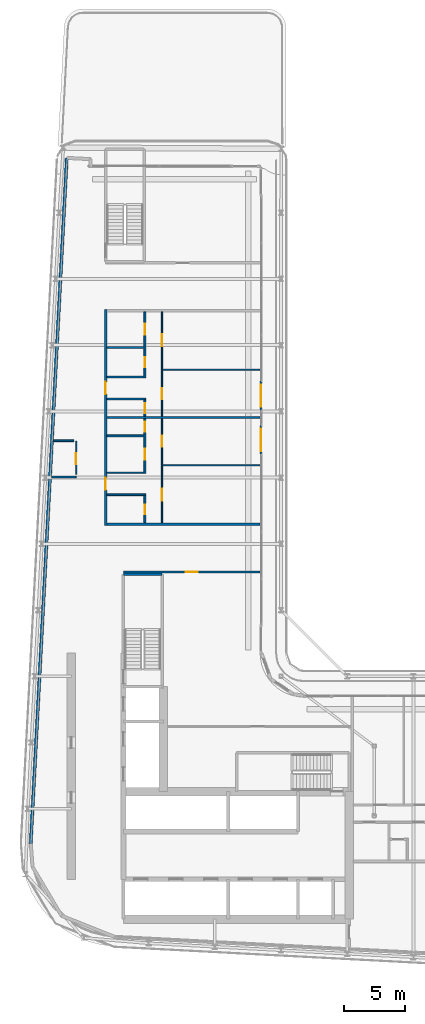
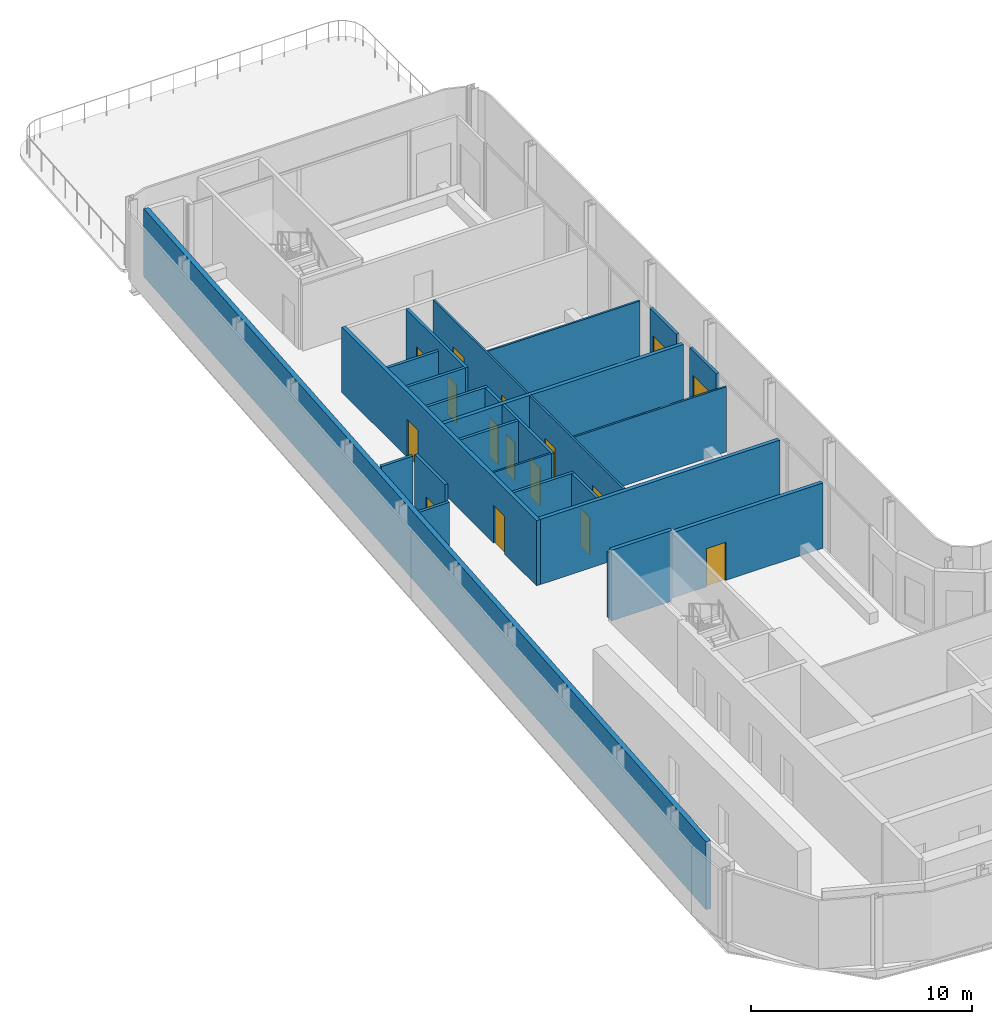
# One storey, part 13 of 22: 25 walls, 16 doors, 16 openings.
"""IFC4 building model written with IfcOpenShell, lengths in metres."""

import ifcopenshell
import ifcopenshell.guid

model = None  # the IFC model being written
_history = None  # IfcOwnerHistory: only IFC2X3 demands one
_inside = {}  # id of a spatial element -> (the spatial element, [elements in it])
_under = {}  # id of a project, library or spatial element -> (it, [spatial elements below it])
_declared = {}  # id of a project -> (the project, [libraries it declares])
_typed = {}  # id of a type object -> (the type object, [elements of that type])
_made_of = {}  # id of a material, layer set ... -> (it, [elements and type objects made of it])


def new_model(schema):
    """Start an empty IFC model of exactly this schema.

    Asked for "IFC4X3", IfcOpenShell would pick the latest addendum, in which some entities
    have other attributes; the version numbers below select the first issue.
    IFC2X3 requires an IfcOwnerHistory on every rooted entity: one is made here for all.
    """
    global model, _history
    if schema == "IFC4X3":
        model = ifcopenshell.file(schema_version=(4, 3, 0, 0))
    else:
        model = ifcopenshell.file(schema=schema)
    _inside.clear()
    _under.clear()
    _declared.clear()
    _typed.clear()
    _made_of.clear()
    _history = None
    if model.schema == "IFC2X3":
        org = make("IfcOrganization", Name="unknown")
        user = make(
            "IfcPersonAndOrganization",
            ThePerson=make("IfcPerson", FamilyName="unknown"),
            TheOrganization=org,
        )
        app = make(
            "IfcApplication",
            ApplicationDeveloper=org,
            Version="unknown",
            ApplicationFullName="unknown",
            ApplicationIdentifier="unknown",
        )
        _history = make(
            "IfcOwnerHistory",
            OwningUser=user,
            OwningApplication=app,
            ChangeAction="ADDED",
            CreationDate=0,
        )
    return model


def make(cls, **values):
    """One entity of the class cls with the attributes given. An attribute that is None is left unset."""
    return model.create_entity(
        cls, **{name: value for name, value in values.items() if value is not None}
    )


def rooted(cls, **values):
    """An entity with a GlobalId (a new one), such as an element, a storey or a relation."""
    return make(cls, GlobalId=ifcopenshell.guid.new(), OwnerHistory=_history, **values)


def si_unit(unit_type, name, prefix=None):
    """IfcSIUnit, for example si_unit("LENGTHUNIT", "METRE", prefix="MILLI")."""
    return make("IfcSIUnit", UnitType=unit_type, Prefix=prefix, Name=name)


def assignment(units):
    """IfcUnitAssignment: the units of a project."""
    return None if units is None else make("IfcUnitAssignment", Units=units)


def point(xyz):
    """IfcCartesianPoint."""
    return None if xyz is None else make("IfcCartesianPoint", Coordinates=xyz)


def direction(xyz):
    """IfcDirection."""
    return None if xyz is None else make("IfcDirection", DirectionRatios=xyz)


def frame(location, z_axis=None, x_axis=None):
    """IfcAxis2Placement3D, a coordinate frame: its origin and axes. An axis left out is left unset."""
    return make(
        "IfcAxis2Placement3D",
        Location=point(location),
        Axis=direction(z_axis),
        RefDirection=direction(x_axis),
    )


def frame_2d(location, x_axis=None):
    """IfcAxis2Placement2D, a coordinate frame in the plane: its origin and x axis."""
    return make(
        "IfcAxis2Placement2D", Location=point(location), RefDirection=direction(x_axis)
    )


def origin():
    """The frame at (0, 0, 0) with its axes left unset."""
    return frame((0.0, 0.0, 0.0))


def place(relative_to, where):
    """IfcLocalPlacement: puts the frame where relative to a parent placement (None: the world)."""
    return make(
        "IfcLocalPlacement", PlacementRelTo=relative_to, RelativePlacement=where
    )


def context(
    kind, dimensions, precision=None, world=None, true_north=None, identifier=None
):
    """IfcGeometricRepresentationContext, for example the 3D "Model" context."""
    return make(
        "IfcGeometricRepresentationContext",
        ContextIdentifier=identifier,
        ContextType=kind,
        CoordinateSpaceDimension=dimensions,
        Precision=precision,
        WorldCoordinateSystem=world,
        TrueNorth=true_north,
    )


def subcontext(parent, identifier, kind, view, scale=None):
    """IfcGeometricRepresentationSubContext, for example "Body" below "Model"."""
    return make(
        "IfcGeometricRepresentationSubContext",
        ContextIdentifier=identifier,
        ContextType=kind,
        ParentContext=parent,
        TargetScale=scale,
        TargetView=view,
    )


def project(units=None, contexts=None):
    """IfcProject with its units and contexts."""
    return rooted(
        "IfcProject",
        Name="project",
        RepresentationContexts=contexts,
        UnitsInContext=assignment(units),
    )


def spatial(cls, under=None, at=None, **own):
    """A site, building, storey or space (cls), placed at a placement, below another one or the project."""
    s = rooted(cls, ObjectPlacement=at, **own)
    if under is not None:
        _under.setdefault(under.id(), (under, []))[1].append(s)
    return s


def profile(cls, at=None, kind="AREA", **sizes):
    """A parametric profile (cls). Its sizes go by their IFC names, for example OverallWidth=200.0."""
    return make(cls, ProfileType=kind, Position=at, **sizes)


def rectangle(**sizes):
    """IfcRectangleProfileDef."""
    return profile("IfcRectangleProfileDef", **sizes)


def extrude(swept, where, along, depth):
    """IfcExtrudedAreaSolid: the profile swept, set in the frame where, extruded along a direction by depth."""
    return make(
        "IfcExtrudedAreaSolid",
        SweptArea=swept,
        Position=where,
        ExtrudedDirection=direction(along),
        Depth=depth,
    )


def shape(context_of_items, identifier, shape_type, items):
    """IfcShapeRepresentation: the items that make up one representation, for example the "Body"."""
    return make(
        "IfcShapeRepresentation",
        ContextOfItems=context_of_items,
        RepresentationIdentifier=identifier,
        RepresentationType=shape_type,
        Items=items,
    )


def source(mapping_origin, context_of_items, identifier, shape_type, items):
    """IfcRepresentationMap: a shape defined once, which mapped items show again and again."""
    return make(
        "IfcRepresentationMap",
        MappingOrigin=mapping_origin,
        MappedRepresentation=shape(context_of_items, identifier, shape_type, items),
    )


def transform(
    local_origin,
    x_axis=None,
    y_axis=None,
    z_axis=None,
    scale=None,
    scale2=None,
    scale3=None,
    uniform=True,
):
    """IfcCartesianTransformationOperator3D, or its non-uniform kind. x_axis, y_axis, z_axis: its Axis1, 2, 3."""
    if uniform:
        return make(
            "IfcCartesianTransformationOperator3D",
            Axis1=direction(x_axis),
            Axis2=direction(y_axis),
            LocalOrigin=point(local_origin),
            Scale=scale,
            Axis3=direction(z_axis),
        )
    return make(
        "IfcCartesianTransformationOperator3DnonUniform",
        Axis1=direction(x_axis),
        Axis2=direction(y_axis),
        LocalOrigin=point(local_origin),
        Scale=scale,
        Axis3=direction(z_axis),
        Scale2=scale2,
        Scale3=scale3,
    )


def mapped(mapping_source, mapping_target):
    """IfcMappedItem: shows the shape of a source again, moved by a transform."""
    return make(
        "IfcMappedItem", MappingSource=mapping_source, MappingTarget=mapping_target
    )


def material(Name=None, Category=None):
    """IfcMaterial."""
    return make("IfcMaterial", Name=Name, Category=Category)


def layer(
    of_material, thickness, ventilated=None, Name=None, Category=None, Priority=None
):
    """IfcMaterialLayer: one layer of a wall or slab, of a material (None: an air gap)."""
    return make(
        "IfcMaterialLayer",
        Material=of_material,
        LayerThickness=thickness,
        IsVentilated=ventilated,
        Name=Name,
        Category=Category,
        Priority=Priority,
    )


def layer_set(layers, Name=None):
    """IfcMaterialLayerSet."""
    return make("IfcMaterialLayerSet", MaterialLayers=layers, LayerSetName=Name)


def made_of(thing, what):
    """Note that an element or type object is made of a material, layer set ...; save() writes the relation."""
    if what is not None:
        _made_of.setdefault(what.id(), (what, []))[1].append(thing)
    return thing


def type_object(cls, material=None, **own):
    """A type object (cls), such as IfcWallType, which elements share."""
    return made_of(rooted(cls, **own), material)


def element(
    cls,
    number,
    at=None,
    inside=None,
    cuts=None,
    type_object=None,
    material=None,
    context=None,
    identifier="Body",
    shape_type=None,
    held_by="IfcProductDefinitionShape",
    body=None,
    shapes=None,
    **own,
):
    """One element of the class cls, such as IfcWall. Its Tag is "e" and its number.

    at: its placement. inside: the storey or other place that contains it. cuts: it is an
    opening in that element (IfcRelVoidsElement). A single representation is given by context,
    identifier, shape_type and body (its items); several are given by shapes. held_by: the class
    of the entity that holds the representations. save() writes the other relations.
    """
    e = rooted(cls, Tag="e%d" % number, ObjectPlacement=at, **own)
    if body is not None:
        shapes = [shape(context, identifier, shape_type, body)]
    if shapes is not None:
        e.Representation = make(held_by, Representations=shapes)
    if inside is not None:
        _inside.setdefault(inside.id(), (inside, []))[1].append(e)
    if cuts is not None:
        rooted(
            "IfcRelVoidsElement", RelatingBuildingElement=cuts, RelatedOpeningElement=e
        )
    if type_object is not None:
        _typed.setdefault(type_object.id(), (type_object, []))[1].append(e)
    return made_of(e, material)


def fill(opening, filler):
    """IfcRelFillsElement: the door or window that sits in an opening."""
    return rooted(
        "IfcRelFillsElement",
        RelatingOpeningElement=opening,
        RelatedBuildingElement=filler,
    )


def aggregate(whole, parts):
    """IfcRelAggregates: a whole, such as a stair, and the parts it consists of."""
    return rooted("IfcRelAggregates", RelatingObject=whole, RelatedObjects=parts)


def save(model, path):
    """Write the relations noted so far, then the file.

    IfcRelAggregates (storeys below a building ...), IfcRelContainedInSpatialStructure (elements
    in a storey), IfcRelDefinesByType, IfcRelAssociatesMaterial and IfcRelDeclares: one each for
    every whole, place, type object, material and project.
    """
    for whole, parts in _under.values():
        aggregate(whole, parts)
    for where, things in _inside.values():
        rooted(
            "IfcRelContainedInSpatialStructure",
            RelatedElements=things,
            RelatingStructure=where,
        )
    for kind, things in _typed.values():
        rooted("IfcRelDefinesByType", RelatedObjects=things, RelatingType=kind)
    for what, things in _made_of.values():
        rooted("IfcRelAssociatesMaterial", RelatedObjects=things, RelatingMaterial=what)
    for by, libraries in _declared.values():
        rooted("IfcRelDeclares", RelatingContext=by, RelatedDefinitions=libraries)
    model.write(path)


model = new_model("IFC4")

# Units and contexts
model_context = context("Model", 3, precision=1e-05, world=origin(), true_north=direction((0.0, 1.0)))
body_context = subcontext(model_context, "Body", "Model", "MODEL_VIEW")
ifc_project = project(units=[si_unit("LENGTHUNIT", "METRE"), si_unit("AREAUNIT", "SQUARE_METRE"), si_unit("VOLUMEUNIT", "CUBIC_METRE"), si_unit("PLANEANGLEUNIT", "RADIAN"), si_unit("MASSUNIT", "GRAM", prefix="KILO")], contexts=[model_context])

# Site, building, storey
site_placement = place(None, origin())
site = spatial("IfcSite", under=ifc_project, at=site_placement, CompositionType="ELEMENT")
building_placement = place(site_placement, origin())
building = spatial("IfcBuilding", under=site, at=building_placement, Name="Kheshtan School and Residences Tower", CompositionType="ELEMENT")
storey_placement = place(building_placement, frame((0.0, 0.0, 216.199951171875)))
storey = spatial("IfcBuildingStorey", under=building, at=storey_placement, Name="L50", CompositionType="ELEMENT", Elevation=216.199951171875)

# Wall, openings, doors
ifc_material_1 = material(Name="Gypsum board on steel studs with fire boards", Category="steel")
ifc_layer_1 = layer(ifc_material_1, 0.199951171875)
ifc_layer_set_1 = layer_set([ifc_layer_1], Name="Corridor wall 200")
wall_type_1 = type_object("IfcWallType", Name="Corridor wall 200", PredefinedType="PARTITIONING", material=ifc_layer_set_1)
wall_1_placement = place(storey_placement, frame((33.300048828125, 57.89990234375, 0.0), z_axis=(0.0, 0.0, 1.0), x_axis=(0.0, 1.0, 0.0)))
wall_1 = element("IfcWall", 1, at=wall_1_placement, inside=storey, type_object=wall_type_1, Name="Partition L50-001", PredefinedType="PARTITIONING", context=body_context, shape_type="SweptSolid", body=[
    extrude(rectangle(XDim=17.60009765625, YDim=0.199951171875, at=frame_2d((8.800048828125, 0.0))), origin(), (0.0, 0.0, 1.0), 3.60009765625),
])
opening_1_placement = place(wall_1_placement, frame((2.89990234375, 0.0, 0.0)))
opening_1 = element("IfcOpeningElement", 2, at=opening_1_placement, cuts=wall_1, Name="Opening D50-025", PredefinedType="OPENING", context=body_context, shape_type="SweptSolid", body=[
    extrude(rectangle(XDim=1.0, YDim=2.10009765625, at=frame_2d((0.5, 1.050048828125))), frame((0.0, 0.10986328125, 0.0), z_axis=(0.0, -1.0, 0.0), x_axis=(1.0, 0.0, 0.0)), (0.0, 0.0, 1.0), 0.219970703125),
])
opening_2_placement = place(wall_1_placement, frame((10.699951171875, 0.0, 0.0)))
opening_2 = element("IfcOpeningElement", 3, at=opening_2_placement, cuts=wall_1, Name="Opening D50-031", PredefinedType="OPENING", context=body_context, shape_type="SweptSolid", body=[
    extrude(rectangle(XDim=1.0, YDim=2.10009765625, at=frame_2d((0.5, 1.050048828125))), frame((0.0, 0.10986328125, 0.0), z_axis=(0.0, -1.0, 0.0), x_axis=(1.0, 0.0, 0.0)), (0.0, 0.0, 1.0), 0.219970703125),
])
ifc_material_2 = material(Name="Steel-framed fire-resisting door leaf", Category="steel")
door_type_1 = type_object("IfcDoorType", Name="Fire door FD30S 1000 x 2100", OperationType="SINGLE_SWING_LEFT", PredefinedType="DOOR", material=ifc_material_2)
shared_shape_1 = source(origin(), body_context, "Body", "SweptSolid", [
    extrude(rectangle(XDim=1.0, YDim=2.10009765625, at=frame_2d((0.5, 1.050048828125))), frame((0.0, 0.02490234375, 0.0), z_axis=(0.0, -1.0, 0.0), x_axis=(1.0, 0.0, 0.0)), (0.0, 0.0, 1.0), 0.050048828125),
])
door_1_placement = place(opening_1_placement, origin())
door_1 = element("IfcDoor", 4, at=door_1_placement, inside=storey, type_object=door_type_1, Name="Door D50-025", OperationType="SINGLE_SWING_RIGHT", OverallHeight=2.10009765625, OverallWidth=1.0, PredefinedType="DOOR", context=body_context, shape_type="MappedRepresentation", body=[
    mapped(shared_shape_1, transform((0.0, 0.0, 0.0), x_axis=(1.0, 0.0, 0.0), y_axis=(0.0, 1.0, 0.0), z_axis=(0.0, 0.0, 1.0), scale=1.0)),
])
fill(opening_1, door_1)
door_2_placement = place(opening_2_placement, origin())
door_2 = element("IfcDoor", 5, at=door_2_placement, inside=storey, type_object=door_type_1, Name="Door D50-031", OperationType="SINGLE_SWING_RIGHT", OverallHeight=2.10009765625, OverallWidth=1.0, PredefinedType="DOOR", context=body_context, shape_type="MappedRepresentation", body=[
    mapped(shared_shape_1, transform((0.0, 0.0, 0.0), x_axis=(1.0, 0.0, 0.0), y_axis=(0.0, 1.0, 0.0), z_axis=(0.0, 0.0, 1.0), scale=1.0)),
])
fill(opening_2, door_2)

# Wall
wall_2_placement = place(storey_placement, frame((33.39990234375, 58.0, 0.0), z_axis=(0.0, 0.0, 1.0), x_axis=(1.0, 0.0, 0.0)))
element("IfcWall", 6, at=wall_2_placement, inside=storey, type_object=wall_type_1, Name="Partition L50-003", PredefinedType="PARTITIONING", context=body_context, shape_type="SweptSolid", body=[
    extrude(rectangle(XDim=12.5, YDim=0.199951171875, at=frame_2d((6.25, 0.0))), origin(), (0.0, 0.0, 1.0), 3.60009765625),
])

# Wall, opening, door
wall_3_placement = place(storey_placement, frame((34.75, 54.10009765625, 0.0), z_axis=(0.0, 0.0, 1.0), x_axis=(1.0, 0.0, 0.0)))
wall_3 = element("IfcWall", 7, at=wall_3_placement, inside=storey, type_object=wall_type_1, Name="Partition L50-012", PredefinedType="PARTITIONING", context=body_context, shape_type="SweptSolid", body=[
    extrude(rectangle(XDim=11.14990234375, YDim=0.199951171875, at=frame_2d((5.574951171875, 0.0))), origin(), (0.0, 0.0, 1.0), 3.60009765625),
])
opening_3_placement = place(wall_3_placement, frame((5.074951171875, 0.0, 0.0)))
opening_3 = element("IfcOpeningElement", 8, at=opening_3_placement, cuts=wall_3, Name="Opening D50-037", PredefinedType="OPENING", context=body_context, shape_type="SweptSolid", body=[
    extrude(rectangle(XDim=1.0, YDim=2.10009765625, at=frame_2d((0.5, 1.050048828125))), frame((0.0, 0.10986328125, 0.0), z_axis=(0.0, -1.0, 0.0), x_axis=(1.0, 0.0, 0.0)), (0.0, 0.0, 1.0), 0.219970703125),
])
door_type_2 = type_object("IfcDoorType", Name="Fire door FD60 1000 x 2100", OperationType="SINGLE_SWING_LEFT", PredefinedType="DOOR", material=ifc_material_2)
shared_shape_2 = source(origin(), body_context, "Body", "SweptSolid", [
    extrude(rectangle(XDim=1.0, YDim=2.10009765625, at=frame_2d((0.5, 1.050048828125))), frame((0.0, 0.02490234375, 0.0), z_axis=(0.0, -1.0, 0.0), x_axis=(1.0, 0.0, 0.0)), (0.0, 0.0, 1.0), 0.050048828125),
])
door_3_placement = place(opening_3_placement, origin())
door_3 = element("IfcDoor", 9, at=door_3_placement, inside=storey, type_object=door_type_2, Name="Door D50-037", OperationType="SINGLE_SWING_RIGHT", OverallHeight=2.10009765625, OverallWidth=1.0, PredefinedType="DOOR", context=body_context, shape_type="MappedRepresentation", body=[
    mapped(shared_shape_2, transform((0.0, 0.0, 0.0), x_axis=(1.0, 0.0, 0.0), y_axis=(0.0, 1.0, 0.0), z_axis=(0.0, 0.0, 1.0), scale=1.0)),
])
fill(opening_3, door_3)

# Wall
ifc_material_3 = material(Name="Concrete C40/50 with ceramic cladding and mineral wool insulation", Category="concrete")
ifc_layer_2 = layer(ifc_material_3, 0.25)
ifc_layer_set_2 = layer_set([ifc_layer_2], Name="External wall 250 ceramic clad")
wall_type_2 = type_object("IfcWallType", Name="External wall 250 ceramic clad", PredefinedType="SOLIDWALL", material=ifc_layer_set_2)
wall_4_placement = place(storey_placement, frame((27.195068359375, 31.968994140625, 0.0), z_axis=(0.0, 0.0, 1.0), x_axis=(0.052559748861, 0.998617781135, 0.0)))
element("IfcWall", 10, at=wall_4_placement, inside=storey, type_object=wall_type_2, Name="External wall L50 16", PredefinedType="SOLIDWALL", context=body_context, shape_type="SweptSolid", body=[
    extrude(rectangle(XDim=55.972412109375, YDim=0.25, at=frame_2d((27.986328125, 0.0))), origin(), (0.0, 0.0, 1.0), 3.75),
])

# Wall, opening, door
ifc_material_4 = material(Name="Aluminium frame wall with insulated infill", Category="aluminium")
ifc_layer_3 = layer(ifc_material_4, 0.14990234375)
ifc_layer_set_3 = layer_set([ifc_layer_3], Name="Glazing frame wall 150")
wall_type_3 = type_object("IfcWallType", Name="Glazing frame wall 150", PredefinedType="SOLIDWALL", material=ifc_layer_set_3)
wall_5_placement = place(storey_placement, frame((45.97509765625, 69.6650390625, 0.0), z_axis=(0.0, 0.0, 1.0), x_axis=(0.0, -1.0, 0.0)))
wall_5 = element("IfcWall", 11, at=wall_5_placement, inside=storey, type_object=wall_type_3, Name="Balcony door wall L50 4.2", PredefinedType="SOLIDWALL", context=body_context, shape_type="SweptSolid", body=[
    extrude(rectangle(XDim=2.400146484375, YDim=0.14990234375, at=frame_2d((1.2001953125, 0.0))), origin(), (0.0, 0.0, 1.0), 3.75),
])
opening_4_placement = place(wall_5_placement, frame((0.300048828125, 0.0, 0.0)))
opening_4 = element("IfcOpeningElement", 12, at=opening_4_placement, cuts=wall_5, Name="Opening BD", PredefinedType="OPENING", context=body_context, shape_type="SweptSolid", body=[
    extrude(rectangle(XDim=1.800048828125, YDim=2.39990234375, at=frame_2d((0.89990234375, 1.199951171875))), frame((0.0, 0.0849609375, 0.0), z_axis=(0.0, -1.0, 0.0), x_axis=(1.0, 0.0, 0.0)), (0.0, 0.0, 1.0), 0.169921875),
])
ifc_material_5 = material(Name="Clear low-e glass in thermally broken aluminium frame", Category="aluminium")
door_type_3 = type_object("IfcDoorType", Name="Balcony sliding door", OperationType="SLIDING_TO_LEFT", PredefinedType="DOOR", material=ifc_material_5)
shared_shape_3 = source(origin(), body_context, "Body", "SweptSolid", [
    extrude(rectangle(XDim=1.800048828125, YDim=2.39990234375, at=frame_2d((0.89990234375, 1.199951171875))), frame((0.0, 0.02490234375, 0.0), z_axis=(0.0, -1.0, 0.0), x_axis=(1.0, 0.0, 0.0)), (0.0, 0.0, 1.0), 0.050048828125),
])
door_4_placement = place(opening_4_placement, origin())
door_4 = element("IfcDoor", 13, at=door_4_placement, inside=storey, type_object=door_type_3, Name="Balcony door L50 4.2", OperationType="SLIDING_TO_LEFT", OverallHeight=2.39990234375, OverallWidth=1.800048828125, PredefinedType="DOOR", context=body_context, shape_type="MappedRepresentation", body=[
    mapped(shared_shape_3, transform((0.0, 0.0, 0.0), x_axis=(1.0, 0.0, 0.0), y_axis=(0.0, 1.0, 0.0), z_axis=(0.0, 0.0, 1.0), scale=1.0)),
])
fill(opening_4, door_4)

wall_6_placement = place(storey_placement, frame((45.97509765625, 66.06494140625, 0.0), z_axis=(0.0, 0.0, 1.0), x_axis=(0.0, -1.0, 0.0)))
wall_6 = element("IfcWall", 14, at=wall_6_placement, inside=storey, type_object=wall_type_3, Name="Balcony door wall L50 4.3", PredefinedType="SOLIDWALL", context=body_context, shape_type="SweptSolid", body=[
    extrude(rectangle(XDim=2.39990234375, YDim=0.14990234375, at=frame_2d((1.199951171875, 0.0))), origin(), (0.0, 0.0, 1.0), 3.75),
])
opening_5_placement = place(wall_6_placement, frame((0.300048828125, 0.0, 0.0)))
opening_5 = element("IfcOpeningElement", 15, at=opening_5_placement, cuts=wall_6, Name="Opening BD", PredefinedType="OPENING", context=body_context, shape_type="SweptSolid", body=[
    extrude(rectangle(XDim=1.800048828125, YDim=2.39990234375, at=frame_2d((0.89990234375, 1.199951171875))), frame((0.0, 0.0849609375, 0.0), z_axis=(0.0, -1.0, 0.0), x_axis=(1.0, 0.0, 0.0)), (0.0, 0.0, 1.0), 0.169921875),
])
door_5_placement = place(opening_5_placement, origin())
door_5 = element("IfcDoor", 16, at=door_5_placement, inside=storey, type_object=door_type_3, Name="Balcony door L50 4.3", OperationType="SLIDING_TO_LEFT", OverallHeight=2.39990234375, OverallWidth=1.800048828125, PredefinedType="DOOR", context=body_context, shape_type="MappedRepresentation", body=[
    mapped(shared_shape_3, transform((0.0, 0.0, 0.0), x_axis=(1.0, 0.0, 0.0), y_axis=(0.0, 1.0, 0.0), z_axis=(0.0, 0.0, 1.0), scale=1.0)),
])
fill(opening_5, door_5)

# Wall
ifc_material_6 = material(Name="Gypsum board on steel studs", Category="steel")
ifc_layer_4 = layer(ifc_material_6, 0.10009765625)
ifc_layer_set_4 = layer_set([ifc_layer_4], Name="Gypsum partition 100")
wall_type_4 = type_object("IfcWallType", Name="Gypsum partition 100", PredefinedType="PARTITIONING", material=ifc_layer_set_4)
wall_7_placement = place(storey_placement, frame((33.39990234375, 62.199951171875, 0.0), z_axis=(0.0, 0.0, 1.0), x_axis=(1.0, 0.0, 0.0)))
element("IfcWall", 17, at=wall_7_placement, inside=storey, type_object=wall_type_4, Name="Partition L50-005", PredefinedType="PARTITIONING", context=body_context, shape_type="SweptSolid", body=[
    extrude(rectangle(XDim=3.025146484375, YDim=0.10009765625, at=frame_2d((1.5126953125, 0.0))), origin(), (0.0, 0.0, 1.0), 3.60009765625),
])

# Wall, openings, doors
wall_8_placement = place(storey_placement, frame((37.89990234375, 58.10009765625, 0.0), z_axis=(0.0, 0.0, 1.0), x_axis=(0.0, 1.0, 0.0)))
wall_8 = element("IfcWall", 18, at=wall_8_placement, inside=storey, type_object=wall_type_4, Name="Partition L50-017", PredefinedType="PARTITIONING", context=body_context, shape_type="SweptSolid", body=[
    extrude(rectangle(XDim=8.5, YDim=0.10009765625, at=frame_2d((4.25, 0.0))), origin(), (0.0, 0.0, 1.0), 3.60009765625),
])
opening_6_placement = place(wall_8_placement, frame((6.199951171875, 0.0, 0.0)))
opening_6 = element("IfcOpeningElement", 19, at=opening_6_placement, cuts=wall_8, Name="Opening D50-024", PredefinedType="OPENING", context=body_context, shape_type="SweptSolid", body=[
    extrude(rectangle(XDim=0.89990234375, YDim=2.10009765625, at=frame_2d((0.449951171875, 1.050048828125))), frame((0.0, 0.06005859375, 0.0), z_axis=(0.0, -1.0, 0.0), x_axis=(1.0, 0.0, 0.0)), (0.0, 0.0, 1.0), 0.1201171875),
])
opening_7_placement = place(wall_8_placement, frame((1.800048828125, 0.0, 0.0)))
opening_7 = element("IfcOpeningElement", 20, at=opening_7_placement, cuts=wall_8, Name="Opening D50-027", PredefinedType="OPENING", context=body_context, shape_type="SweptSolid", body=[
    extrude(rectangle(XDim=1.0, YDim=2.10009765625, at=frame_2d((0.5, 1.050048828125))), frame((0.0, 0.06005859375, 0.0), z_axis=(0.0, -1.0, 0.0), x_axis=(1.0, 0.0, 0.0)), (0.0, 0.0, 1.0), 0.1201171875),
])
ifc_material_7 = material(Name="Veneered timber door leaf", Category="wood")
door_type_4 = type_object("IfcDoorType", Name="Door 1000 x 2100", OperationType="SINGLE_SWING_LEFT", PredefinedType="DOOR", material=ifc_material_7)
shared_shape_4 = source(origin(), body_context, "Body", "SweptSolid", [
    extrude(rectangle(XDim=1.0, YDim=2.10009765625, at=frame_2d((0.5, 1.050048828125))), frame((0.0, 0.02490234375, 0.0), z_axis=(0.0, -1.0, 0.0), x_axis=(1.0, 0.0, 0.0)), (0.0, 0.0, 1.0), 0.050048828125),
])
door_6_placement = place(opening_7_placement, origin())
door_6 = element("IfcDoor", 21, at=door_6_placement, inside=storey, type_object=door_type_4, Name="Door D50-027", OperationType="SINGLE_SWING_RIGHT", OverallHeight=2.10009765625, OverallWidth=1.0, PredefinedType="DOOR", context=body_context, shape_type="MappedRepresentation", body=[
    mapped(shared_shape_4, transform((0.0, 0.0, 0.0), x_axis=(1.0, 0.0, 0.0), y_axis=(0.0, 1.0, 0.0), z_axis=(0.0, 0.0, 1.0), scale=1.0)),
])
fill(opening_7, door_6)
door_type_5 = type_object("IfcDoorType", Name="Door 900 x 2100", OperationType="SINGLE_SWING_LEFT", PredefinedType="DOOR", material=ifc_material_7)
shared_shape_5 = source(origin(), body_context, "Body", "SweptSolid", [
    extrude(rectangle(XDim=0.89990234375, YDim=2.10009765625, at=frame_2d((0.449951171875, 1.050048828125))), frame((0.0, 0.02490234375, 0.0), z_axis=(0.0, -1.0, 0.0), x_axis=(1.0, 0.0, 0.0)), (0.0, 0.0, 1.0), 0.050048828125),
])
door_7_placement = place(opening_6_placement, origin())
door_7 = element("IfcDoor", 22, at=door_7_placement, inside=storey, type_object=door_type_5, Name="Door D50-024", OperationType="SINGLE_SWING_RIGHT", OverallHeight=2.10009765625, OverallWidth=0.89990234375, PredefinedType="DOOR", context=body_context, shape_type="MappedRepresentation", body=[
    mapped(shared_shape_5, transform((0.0, 0.0, 0.0), x_axis=(1.0, 0.0, 0.0), y_axis=(0.0, 1.0, 0.0), z_axis=(0.0, 0.0, 1.0), scale=1.0)),
])
fill(opening_6, door_7)

wall_9_placement = place(storey_placement, frame((37.89990234375, 66.800048828125, 0.0), z_axis=(0.0, 0.0, 1.0), x_axis=(0.0, 1.0, 0.0)))
wall_9 = element("IfcWall", 23, at=wall_9_placement, inside=storey, type_object=wall_type_4, Name="Partition L50-018", PredefinedType="PARTITIONING", context=body_context, shape_type="SweptSolid", body=[
    extrude(rectangle(XDim=8.5, YDim=0.10009765625, at=frame_2d((4.25, 0.0))), origin(), (0.0, 0.0, 1.0), 3.60009765625),
])
opening_8_placement = place(wall_9_placement, frame((1.39990234375, 0.0, 0.0)))
opening_8 = element("IfcOpeningElement", 24, at=opening_8_placement, cuts=wall_9, Name="Opening D50-030", PredefinedType="OPENING", context=body_context, shape_type="SweptSolid", body=[
    extrude(rectangle(XDim=0.89990234375, YDim=2.10009765625, at=frame_2d((0.449951171875, 1.050048828125))), frame((0.0, 0.06005859375, 0.0), z_axis=(0.0, -1.0, 0.0), x_axis=(1.0, 0.0, 0.0)), (0.0, 0.0, 1.0), 0.1201171875),
])
opening_9_placement = place(wall_9_placement, frame((5.699951171875, 0.0, 0.0)))
opening_9 = element("IfcOpeningElement", 25, at=opening_9_placement, cuts=wall_9, Name="Opening D50-033", PredefinedType="OPENING", context=body_context, shape_type="SweptSolid", body=[
    extrude(rectangle(XDim=1.0, YDim=2.10009765625, at=frame_2d((0.5, 1.050048828125))), frame((0.0, 0.06005859375, 0.0), z_axis=(0.0, -1.0, 0.0), x_axis=(1.0, 0.0, 0.0)), (0.0, 0.0, 1.0), 0.1201171875),
])
door_8_placement = place(opening_9_placement, origin())
door_8 = element("IfcDoor", 26, at=door_8_placement, inside=storey, type_object=door_type_4, Name="Door D50-033", OperationType="SINGLE_SWING_LEFT", OverallHeight=2.10009765625, OverallWidth=1.0, PredefinedType="DOOR", context=body_context, shape_type="MappedRepresentation", body=[
    mapped(shared_shape_4, transform((0.0, 0.0, 0.0), x_axis=(1.0, 0.0, 0.0), y_axis=(0.0, 1.0, 0.0), z_axis=(0.0, 0.0, 1.0), scale=1.0)),
])
fill(opening_9, door_8)
door_9_placement = place(opening_8_placement, origin())
door_9 = element("IfcDoor", 27, at=door_9_placement, inside=storey, type_object=door_type_5, Name="Door D50-030", OperationType="SINGLE_SWING_LEFT", OverallHeight=2.10009765625, OverallWidth=0.89990234375, PredefinedType="DOOR", context=body_context, shape_type="MappedRepresentation", body=[
    mapped(shared_shape_5, transform((0.0, 0.0, 0.0), x_axis=(1.0, 0.0, 0.0), y_axis=(0.0, 1.0, 0.0), z_axis=(0.0, 0.0, 1.0), scale=1.0)),
])
fill(opening_8, door_9)

# Walls
for number, where, z_axis, x_axis, name in (
    (28, (37.949951171875, 62.800048828125, 0.0), (0.0, 0.0, 1.0), (1.0, 0.0, 0.0), "Partition L50-019"),
    (29, (37.949951171875, 70.60009765625, 0.0), (0.0, 0.0, 1.0), (1.0, 0.0, 0.0), "Partition L50-020"),
):
    element("IfcWall", number, at=place(storey_placement, frame(where, z_axis=z_axis, x_axis=x_axis)), inside=storey, type_object=wall_type_4, Name=name, PredefinedType="PARTITIONING", context=body_context, shape_type="SweptSolid", body=[
        extrude(rectangle(XDim=7.949951171875, YDim=0.10009765625, at=frame_2d((3.97509765625, 0.0))), origin(), (0.0, 0.0, 1.0), 3.60009765625),
    ])
ifc_material_8 = material(Name="Fire-board shaft wall system")
ifc_layer_5 = layer(ifc_material_8, 0.14990234375)
ifc_layer_set_5 = layer_set([ifc_layer_5], Name="Service room wall 150")
wall_type_5 = type_object("IfcWallType", Name="Service room wall 150", PredefinedType="PARTITIONING", material=ifc_layer_set_5)
wall_10_placement = place(storey_placement, frame((28.89599609375, 61.85107421875, 0.0), z_axis=(0.0, 0.0, 1.0), x_axis=(1.0, 0.0, 0.0)))
element("IfcWall", 30, at=wall_10_placement, inside=storey, type_object=wall_type_5, Name="Service room wall", PredefinedType="PARTITIONING", context=body_context, shape_type="SweptSolid", body=[
    extrude(rectangle(XDim=2.00390625, YDim=0.14990234375, at=frame_2d((1.001953125, 0.0))), origin(), (0.0, 0.0, 1.0), 3.072021484375),
])

# Wall, opening, door
wall_11_placement = place(storey_placement, frame((30.89990234375, 62.0458984375, 0.0), z_axis=(0.0, 0.0, 1.0), x_axis=(0.0, 1.0, 0.0)))
wall_11 = element("IfcWall", 31, at=wall_11_placement, inside=storey, type_object=wall_type_5, Name="Service room wall", PredefinedType="PARTITIONING", context=body_context, shape_type="SweptSolid", body=[
    extrude(rectangle(XDim=2.754150390625, YDim=0.14990234375, at=frame_2d((1.376953125, 0.0))), origin(), (0.0, 0.0, 1.0), 3.900146484375),
])
opening_10_placement = place(wall_11_placement, frame((0.830078125, 0.0, 0.0)))
opening_10 = element("IfcOpeningElement", 32, at=opening_10_placement, cuts=wall_11, Name="Opening SR90", PredefinedType="OPENING", context=body_context, shape_type="SweptSolid", body=[
    extrude(rectangle(XDim=0.89990234375, YDim=2.199951171875, at=frame_2d((0.449951171875, 1.10009765625))), frame((0.0, 0.0849609375, 0.0), z_axis=(0.0, -1.0, 0.0), x_axis=(1.0, 0.0, 0.0)), (0.0, 0.0, 1.0), 0.169921875),
])
ifc_material_9 = material(Name="Steel door leaf, galvanised", Category="steel")
door_type_6 = type_object("IfcDoorType", Name="Service room door 900 steel 90 min", OperationType="SINGLE_SWING_LEFT", PredefinedType="DOOR", material=ifc_material_9)
shared_shape_6 = source(origin(), body_context, "Body", "SweptSolid", [
    extrude(rectangle(XDim=0.89990234375, YDim=2.199951171875, at=frame_2d((0.449951171875, 1.10009765625))), frame((0.0, 0.02490234375, 0.0), z_axis=(0.0, -1.0, 0.0), x_axis=(1.0, 0.0, 0.0)), (0.0, 0.0, 1.0), 0.050048828125),
])
door_10_placement = place(opening_10_placement, origin())
door_10 = element("IfcDoor", 33, at=door_10_placement, inside=storey, type_object=door_type_6, Name="Service room door", OperationType="SINGLE_SWING_LEFT", OverallHeight=2.199951171875, OverallWidth=0.89990234375, PredefinedType="DOOR", context=body_context, shape_type="MappedRepresentation", body=[
    mapped(shared_shape_6, transform((0.0, 0.0, 0.0), x_axis=(1.0, 0.0, 0.0), y_axis=(0.0, 1.0, 0.0), z_axis=(0.0, 0.0, 1.0), scale=1.0)),
])
fill(opening_10, door_10)

# Walls
wall_12_placement = place(storey_placement, frame((29.051025390625, 64.800048828125, 0.0), z_axis=(0.0, 0.0, 1.0), x_axis=(1.0, 0.0, 0.0)))
element("IfcWall", 34, at=wall_12_placement, inside=storey, type_object=wall_type_5, Name="Service room wall", PredefinedType="PARTITIONING", context=body_context, shape_type="SweptSolid", body=[
    extrude(rectangle(XDim=1.654052734375, YDim=0.14990234375, at=frame_2d((0.8271484375, 0.0))), origin(), (0.0, 0.0, 1.0), 3.900146484375),
])
ifc_material_10 = material(Name="Concrete C40/50", Category="concrete")
ifc_layer_6 = layer(ifc_material_10, 0.199951171875)
ifc_layer_set_6 = layer_set([ifc_layer_6], Name="Stair enclosure wall 200 Concrete C40/50")
wall_type_6 = type_object("IfcWallType", Name="Stair enclosure wall 200 Concrete C40/50", PredefinedType="SHEAR", material=ifc_layer_set_6)
wall_13_placement = place(storey_placement, frame((34.75, 53.909912109375, 0.0), z_axis=(0.0, 0.0, 1.0), x_axis=(1.0, 0.0, 0.0)))
element("IfcWall", 35, at=wall_13_placement, inside=storey, type_object=wall_type_6, Name="Stair enclosure wall ST2", PredefinedType="SHEAR", context=body_context, shape_type="SweptSolid", body=[
    extrude(rectangle(XDim=3.14990234375, YDim=0.199951171875, at=frame_2d((1.574951171875, 0.0))), origin(), (0.0, 0.0, 1.0), 3.900146484375),
])
ifc_material_11 = material(Name="Twin gypsum board on steel studs with mineral wool", Category="steel")
ifc_layer_7 = layer(ifc_material_11, 0.199951171875)
ifc_layer_set_7 = layer_set([ifc_layer_7], Name="Unit demising wall 200")
wall_type_7 = type_object("IfcWallType", Name="Unit demising wall 200", PredefinedType="PARTITIONING", material=ifc_layer_set_7)
wall_14_placement = place(storey_placement, frame((33.39990234375, 66.699951171875, 0.0), z_axis=(0.0, 0.0, 1.0), x_axis=(1.0, 0.0, 0.0)))
element("IfcWall", 36, at=wall_14_placement, inside=storey, type_object=wall_type_7, Name="Partition L50-007", PredefinedType="PARTITIONING", context=body_context, shape_type="SweptSolid", body=[
    extrude(rectangle(XDim=12.5, YDim=0.199951171875, at=frame_2d((6.25, 0.0))), origin(), (0.0, 0.0, 1.0), 3.60009765625),
])
ifc_material_12 = material(Name="Moisture-resistant gypsum board on steel studs", Category="steel")
ifc_layer_8 = layer(ifc_material_12, 0.14990234375)
ifc_layer_set_8 = layer_set([ifc_layer_8], Name="Wet-room partition 150")
wall_type_8 = type_object("IfcWallType", Name="Wet-room partition 150", PredefinedType="PARTITIONING", material=ifc_layer_set_8)
wall_15_placement = place(storey_placement, frame((33.39990234375, 60.39990234375, 0.0), z_axis=(0.0, 0.0, 1.0), x_axis=(1.0, 0.0, 0.0)))
element("IfcWall", 37, at=wall_15_placement, inside=storey, type_object=wall_type_8, Name="Partition L50-004", PredefinedType="PARTITIONING", context=body_context, shape_type="SweptSolid", body=[
    extrude(rectangle(XDim=3.175048828125, YDim=0.14990234375, at=frame_2d((1.58740234375, 0.0))), origin(), (0.0, 0.0, 1.0), 3.60009765625),
])
wall_16_placement = place(storey_placement, frame((33.39990234375, 65.199951171875, 0.0), z_axis=(0.0, 0.0, 1.0), x_axis=(1.0, 0.0, 0.0)))
element("IfcWall", 38, at=wall_16_placement, inside=storey, type_object=wall_type_8, Name="Partition L50-006", PredefinedType="PARTITIONING", context=body_context, shape_type="SweptSolid", body=[
    extrude(rectangle(XDim=3.025146484375, YDim=0.14990234375, at=frame_2d((1.5126953125, 0.0))), origin(), (0.0, 0.0, 1.0), 3.60009765625),
])
wall_17_placement = place(storey_placement, frame((33.39990234375, 68.199951171875, 0.0), z_axis=(0.0, 0.0, 1.0), x_axis=(1.0, 0.0, 0.0)))
element("IfcWall", 39, at=wall_17_placement, inside=storey, type_object=wall_type_8, Name="Partition L50-008", PredefinedType="PARTITIONING", context=body_context, shape_type="SweptSolid", body=[
    extrude(rectangle(XDim=3.175048828125, YDim=0.14990234375, at=frame_2d((1.58740234375, 0.0))), origin(), (0.0, 0.0, 1.0), 3.60009765625),
])
wall_18_placement = place(storey_placement, frame((33.39990234375, 70.0, 0.0), z_axis=(0.0, 0.0, 1.0), x_axis=(1.0, 0.0, 0.0)))
element("IfcWall", 40, at=wall_18_placement, inside=storey, type_object=wall_type_8, Name="Partition L50-009", PredefinedType="PARTITIONING", context=body_context, shape_type="SweptSolid", body=[
    extrude(rectangle(XDim=3.025146484375, YDim=0.14990234375, at=frame_2d((1.5126953125, 0.0))), origin(), (0.0, 0.0, 1.0), 3.60009765625),
])
wall_19_placement = place(storey_placement, frame((33.39990234375, 72.39990234375, 0.0), z_axis=(0.0, 0.0, 1.0), x_axis=(1.0, 0.0, 0.0)))
element("IfcWall", 41, at=wall_19_placement, inside=storey, type_object=wall_type_8, Name="Partition L50-010", PredefinedType="PARTITIONING", context=body_context, shape_type="SweptSolid", body=[
    extrude(rectangle(XDim=3.025146484375, YDim=0.14990234375, at=frame_2d((1.5126953125, 0.0))), origin(), (0.0, 0.0, 1.0), 3.072021484375),
])

# Wall, opening, door
wall_20_placement = place(storey_placement, frame((36.5, 58.10009765625, 0.0), z_axis=(0.0, 0.0, 1.0), x_axis=(0.0, 1.0, 0.0)))
wall_20 = element("IfcWall", 42, at=wall_20_placement, inside=storey, type_object=wall_type_8, Name="Partition L50-013", PredefinedType="PARTITIONING", context=body_context, shape_type="SweptSolid", body=[
    extrude(rectangle(XDim=2.224853515625, YDim=0.14990234375, at=frame_2d((1.1123046875, 0.0))), origin(), (0.0, 0.0, 1.0), 3.60009765625),
])
opening_11_placement = place(wall_20_placement, frame((0.699951171875, 0.0, 0.0)))
opening_11 = element("IfcOpeningElement", 43, at=opening_11_placement, cuts=wall_20, Name="Opening D50-023", PredefinedType="OPENING", context=body_context, shape_type="SweptSolid", body=[
    extrude(rectangle(XDim=0.800048828125, YDim=2.10009765625, at=frame_2d((0.39990234375, 1.050048828125))), frame((0.0, 0.0849609375, 0.0), z_axis=(0.0, -1.0, 0.0), x_axis=(1.0, 0.0, 0.0)), (0.0, 0.0, 1.0), 0.169921875),
])
door_type_7 = type_object("IfcDoorType", Name="Door 800 x 2100", OperationType="SINGLE_SWING_LEFT", PredefinedType="DOOR", material=ifc_material_7)
shared_shape_7 = source(origin(), body_context, "Body", "SweptSolid", [
    extrude(rectangle(XDim=0.800048828125, YDim=2.10009765625, at=frame_2d((0.39990234375, 1.050048828125))), frame((0.0, 0.02490234375, 0.0), z_axis=(0.0, -1.0, 0.0), x_axis=(1.0, 0.0, 0.0)), (0.0, 0.0, 1.0), 0.050048828125),
])
door_11_placement = place(opening_11_placement, origin())
door_11 = element("IfcDoor", 44, at=door_11_placement, inside=storey, type_object=door_type_7, Name="Door D50-023", OperationType="SINGLE_SWING_LEFT", OverallHeight=2.10009765625, OverallWidth=0.800048828125, PredefinedType="DOOR", context=body_context, shape_type="MappedRepresentation", body=[
    mapped(shared_shape_7, transform((0.0, 0.0, 0.0), x_axis=(1.0, 0.0, 0.0), y_axis=(0.0, 1.0, 0.0), z_axis=(0.0, 0.0, 1.0), scale=1.0)),
])
fill(opening_11, door_11)

# Wall, openings, doors
wall_21_placement = place(storey_placement, frame((36.5, 62.14990234375, 0.0), z_axis=(0.0, 0.0, 1.0), x_axis=(0.0, 1.0, 0.0)))
wall_21 = element("IfcWall", 45, at=wall_21_placement, inside=storey, type_object=wall_type_8, Name="Partition L50-014", PredefinedType="PARTITIONING", context=body_context, shape_type="SweptSolid", body=[
    extrude(rectangle(XDim=4.4501953125, YDim=0.14990234375, at=frame_2d((2.22509765625, 0.0))), origin(), (0.0, 0.0, 1.0), 3.60009765625),
])
opening_12_placement = place(wall_21_placement, frame((1.10009765625, 0.0, 0.0)))
opening_12 = element("IfcOpeningElement", 46, at=opening_12_placement, cuts=wall_21, Name="Opening D50-026", PredefinedType="OPENING", context=body_context, shape_type="SweptSolid", body=[
    extrude(rectangle(XDim=0.89990234375, YDim=2.10009765625, at=frame_2d((0.449951171875, 1.050048828125))), frame((0.0, 0.0849609375, 0.0), z_axis=(0.0, -1.0, 0.0), x_axis=(1.0, 0.0, 0.0)), (0.0, 0.0, 1.0), 0.169921875),
])
opening_13_placement = place(wall_21_placement, frame((3.39990234375, 0.0, 0.0)))
opening_13 = element("IfcOpeningElement", 47, at=opening_13_placement, cuts=wall_21, Name="Opening D50-028", PredefinedType="OPENING", context=body_context, shape_type="SweptSolid", body=[
    extrude(rectangle(XDim=0.800048828125, YDim=2.10009765625, at=frame_2d((0.39990234375, 1.050048828125))), frame((0.0, 0.0849609375, 0.0), z_axis=(0.0, -1.0, 0.0), x_axis=(1.0, 0.0, 0.0)), (0.0, 0.0, 1.0), 0.169921875),
])
door_12_placement = place(opening_13_placement, origin())
door_12 = element("IfcDoor", 48, at=door_12_placement, inside=storey, type_object=door_type_7, Name="Door D50-028", OperationType="SINGLE_SWING_RIGHT", OverallHeight=2.10009765625, OverallWidth=0.800048828125, PredefinedType="DOOR", context=body_context, shape_type="MappedRepresentation", body=[
    mapped(shared_shape_7, transform((0.0, 0.0, 0.0), x_axis=(1.0, 0.0, 0.0), y_axis=(0.0, 1.0, 0.0), z_axis=(0.0, 0.0, 1.0), scale=1.0)),
])
fill(opening_13, door_12)
door_13_placement = place(opening_12_placement, origin())
door_13 = element("IfcDoor", 49, at=door_13_placement, inside=storey, type_object=door_type_5, Name="Door D50-026", OperationType="SINGLE_SWING_LEFT", OverallHeight=2.10009765625, OverallWidth=0.89990234375, PredefinedType="DOOR", context=body_context, shape_type="MappedRepresentation", body=[
    mapped(shared_shape_5, transform((0.0, 0.0, 0.0), x_axis=(1.0, 0.0, 0.0), y_axis=(0.0, 1.0, 0.0), z_axis=(0.0, 0.0, 1.0), scale=1.0)),
])
fill(opening_12, door_13)

# Wall, opening, door
wall_22_placement = place(storey_placement, frame((36.5, 66.800048828125, 0.0), z_axis=(0.0, 0.0, 1.0), x_axis=(0.0, 1.0, 0.0)))
wall_22 = element("IfcWall", 50, at=wall_22_placement, inside=storey, type_object=wall_type_8, Name="Partition L50-015", PredefinedType="PARTITIONING", context=body_context, shape_type="SweptSolid", body=[
    extrude(rectangle(XDim=1.324951171875, YDim=0.14990234375, at=frame_2d((0.66259765625, 0.0))), origin(), (0.0, 0.0, 1.0), 3.60009765625),
])
opening_14_placement = place(wall_22_placement, frame((0.25, 0.0, 0.0)))
opening_14 = element("IfcOpeningElement", 51, at=opening_14_placement, cuts=wall_22, Name="Opening D50-034", PredefinedType="OPENING", context=body_context, shape_type="SweptSolid", body=[
    extrude(rectangle(XDim=0.800048828125, YDim=2.10009765625, at=frame_2d((0.39990234375, 1.050048828125))), frame((0.0, 0.0849609375, 0.0), z_axis=(0.0, -1.0, 0.0), x_axis=(1.0, 0.0, 0.0)), (0.0, 0.0, 1.0), 0.169921875),
])
door_14_placement = place(opening_14_placement, origin())
door_14 = element("IfcDoor", 52, at=door_14_placement, inside=storey, type_object=door_type_7, Name="Door D50-034", OperationType="SINGLE_SWING_RIGHT", OverallHeight=2.10009765625, OverallWidth=0.800048828125, PredefinedType="DOOR", context=body_context, shape_type="MappedRepresentation", body=[
    mapped(shared_shape_7, transform((0.0, 0.0, 0.0), x_axis=(1.0, 0.0, 0.0), y_axis=(0.0, 1.0, 0.0), z_axis=(0.0, 0.0, 1.0), scale=1.0)),
])
fill(opening_14, door_14)

# Wall, openings, doors
wall_23_placement = place(storey_placement, frame((36.5, 69.925048828125, 0.0), z_axis=(0.0, 0.0, 1.0), x_axis=(0.0, 1.0, 0.0)))
wall_23 = element("IfcWall", 53, at=wall_23_placement, inside=storey, type_object=wall_type_8, Name="Partition L50-016", PredefinedType="PARTITIONING", context=body_context, shape_type="SweptSolid", body=[
    extrude(rectangle(XDim=5.375, YDim=0.14990234375, at=frame_2d((2.6875, 0.0))), origin(), (0.0, 0.0, 1.0), 3.60009765625),
])
opening_15_placement = place(wall_23_placement, frame((0.875, 0.0, 0.0)))
opening_15 = element("IfcOpeningElement", 54, at=opening_15_placement, cuts=wall_23, Name="Opening D50-029", PredefinedType="OPENING", context=body_context, shape_type="SweptSolid", body=[
    extrude(rectangle(XDim=0.800048828125, YDim=2.10009765625, at=frame_2d((0.39990234375, 1.050048828125))), frame((0.0, 0.0849609375, 0.0), z_axis=(0.0, -1.0, 0.0), x_axis=(1.0, 0.0, 0.0)), (0.0, 0.0, 1.0), 0.169921875),
])
opening_16_placement = place(wall_23_placement, frame((3.52490234375, 0.0, 0.0)))
opening_16 = element("IfcOpeningElement", 55, at=opening_16_placement, cuts=wall_23, Name="Opening D50-032", PredefinedType="OPENING", context=body_context, shape_type="SweptSolid", body=[
    extrude(rectangle(XDim=0.89990234375, YDim=2.10009765625, at=frame_2d((0.449951171875, 1.050048828125))), frame((0.0, 0.0849609375, 0.0), z_axis=(0.0, -1.0, 0.0), x_axis=(1.0, 0.0, 0.0)), (0.0, 0.0, 1.0), 0.169921875),
])
door_15_placement = place(opening_15_placement, origin())
door_15 = element("IfcDoor", 56, at=door_15_placement, inside=storey, type_object=door_type_7, Name="Door D50-029", OperationType="SINGLE_SWING_LEFT", OverallHeight=2.10009765625, OverallWidth=0.800048828125, PredefinedType="DOOR", context=body_context, shape_type="MappedRepresentation", body=[
    mapped(shared_shape_7, transform((0.0, 0.0, 0.0), x_axis=(1.0, 0.0, 0.0), y_axis=(0.0, 1.0, 0.0), z_axis=(0.0, 0.0, 1.0), scale=1.0)),
])
fill(opening_15, door_15)
door_16_placement = place(opening_16_placement, origin())
door_16 = element("IfcDoor", 57, at=door_16_placement, inside=storey, type_object=door_type_5, Name="Door D50-032", OperationType="SINGLE_SWING_LEFT", OverallHeight=2.10009765625, OverallWidth=0.89990234375, PredefinedType="DOOR", context=body_context, shape_type="MappedRepresentation", body=[
    mapped(shared_shape_5, transform((0.0, 0.0, 0.0), x_axis=(1.0, 0.0, 0.0), y_axis=(0.0, 1.0, 0.0), z_axis=(0.0, 0.0, 1.0), scale=1.0)),
])
fill(opening_16, door_16)

save(model, "model.ifc")
